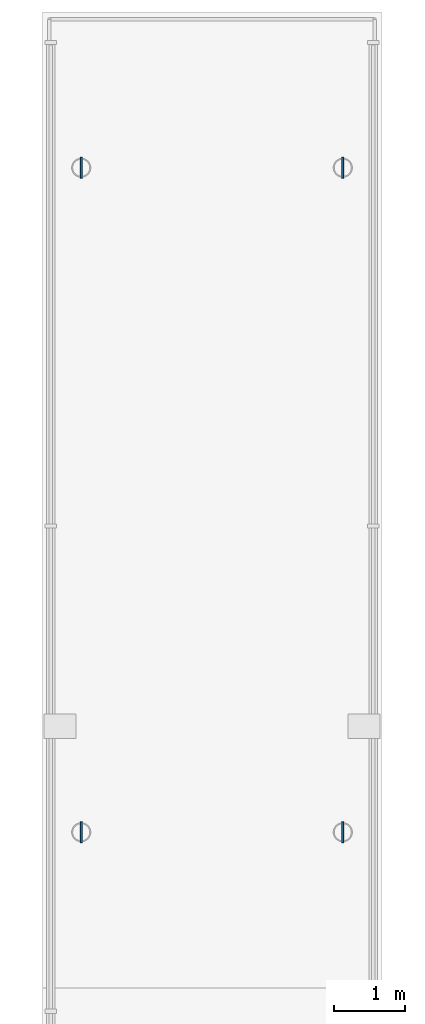
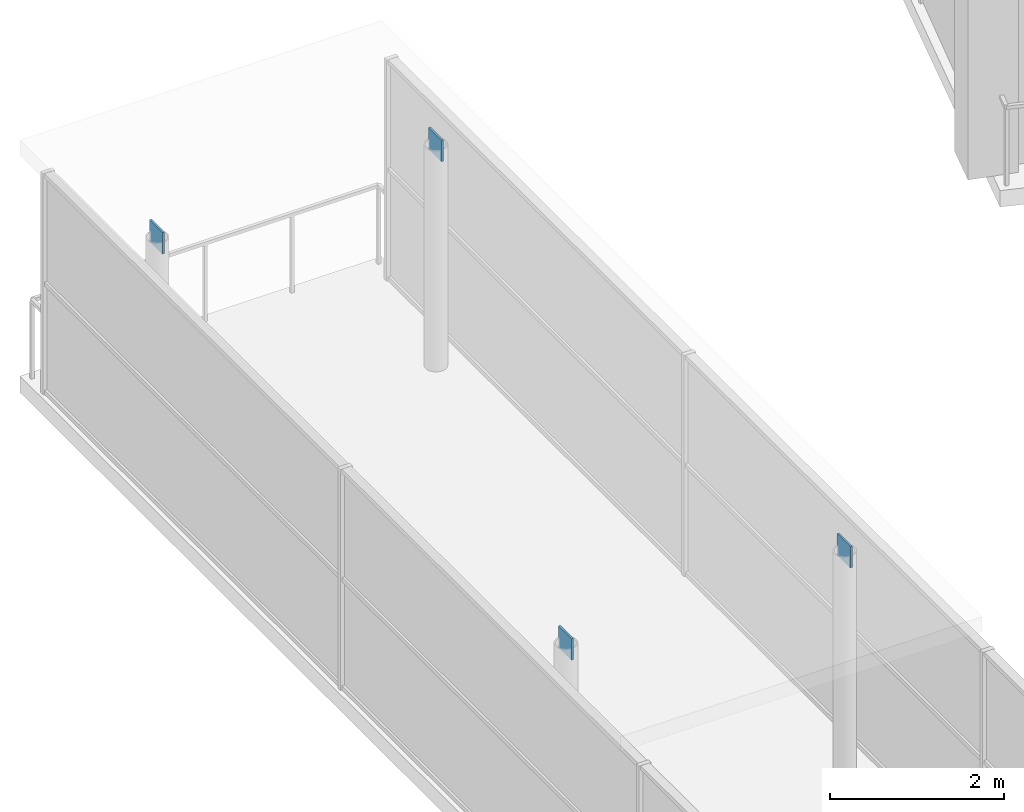
# One storey, part 18 of 29: 4 plates.
"""IFC4 building model written with IfcOpenShell, lengths in metres."""

from ifc_helpers import new_model, si_unit, direction, frame, origin, origin_2d, place, context, subcontext, project, spatial, rectangle, extrude, material, layer, layer_set, type_object, element, save


model = new_model("IFC4")

# Units and contexts
model_context = context("Model", 3, precision=1e-05, world=origin(), true_north=direction((0.0, 1.0)))
body_context = subcontext(model_context, "Body", "Model", "MODEL_VIEW")
ifc_project = project(units=[si_unit("LENGTHUNIT", "METRE"), si_unit("AREAUNIT", "SQUARE_METRE"), si_unit("VOLUMEUNIT", "CUBIC_METRE"), si_unit("PLANEANGLEUNIT", "RADIAN"), si_unit("MASSUNIT", "GRAM", prefix="KILO")], contexts=[model_context])

# Site, building, storey
site_placement = place(None, origin())
site = spatial("IfcSite", under=ifc_project, at=site_placement, CompositionType="ELEMENT")
building_placement = place(site_placement, origin())
building = spatial("IfcBuilding", under=site, at=building_placement, Name="Saryqyr Civic Hall", CompositionType="ELEMENT")
storey_placement = place(building_placement, frame((0.0, 0.0, 25.35009765625)))
storey = spatial("IfcBuildingStorey", under=building, at=storey_placement, Name="L06", CompositionType="ELEMENT", Elevation=25.35009765625)

# Plates
ifc_material = material(Name="Steel S355", Category="steel")
ifc_layer = layer(ifc_material, 0.028076171875, Name="Steel S355")
ifc_layer_set = layer_set([ifc_layer], Name="Steel S355")
plate_type = type_object("IfcPlateType", Name="STR-PLT-CAP28", PredefinedType="USERDEFINED", material=ifc_layer_set)
for number, where, z_axis, x_axis, name in (
    (1, (55.14990234375, 109.199951171875, 2.94970703125), (0.0, 0.0, 1.0), (1.0, 0.0, 0.0), "Hollow section end cap BRCOLCAP-BR-CN-1"),
    (2, (58.85009765625, 109.199951171875, 2.94970703125), (0.0, 0.0, 1.0), (1.0, 0.0, 0.0), "Hollow section end cap BRCOLCAP-BR-CN-2"),
    (3, (58.85009765625, 118.60009765625, 2.94970703125), (0.0, 0.0, 1.0), (1.0, 0.0, 0.0), "Hollow section end cap BRCOLCAP-BR-CN-3"),
    (4, (55.14990234375, 118.60009765625, 2.94970703125), (0.0, 0.0, 1.0), (1.0, 0.0, 0.0), "Hollow section end cap BRCOLCAP-BR-CN-4"),
):
    element("IfcPlate", number, at=place(storey_placement, frame(where, z_axis=z_axis, x_axis=x_axis)), inside=storey, type_object=plate_type, Name=name, ObjectType="FLANGE_PLATE", PredefinedType="USERDEFINED", context=body_context, shape_type="SweptSolid", body=[
        extrude(rectangle(XDim=0.028076171875, YDim=0.300048828125, at=origin_2d()), origin(), (0.0, 0.0, 1.0), 0.300048828125),
    ])

save(model, "model.ifc")
